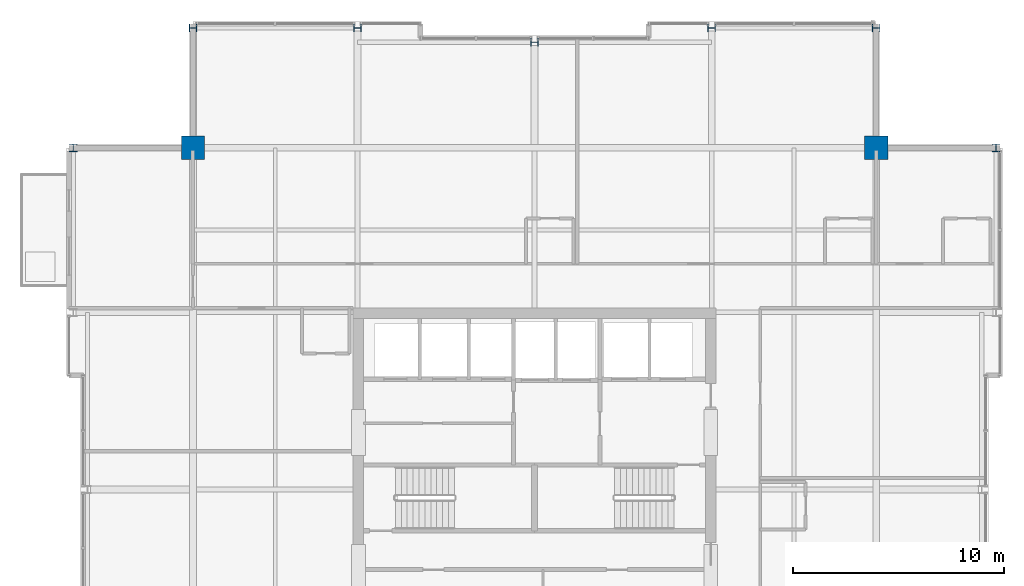
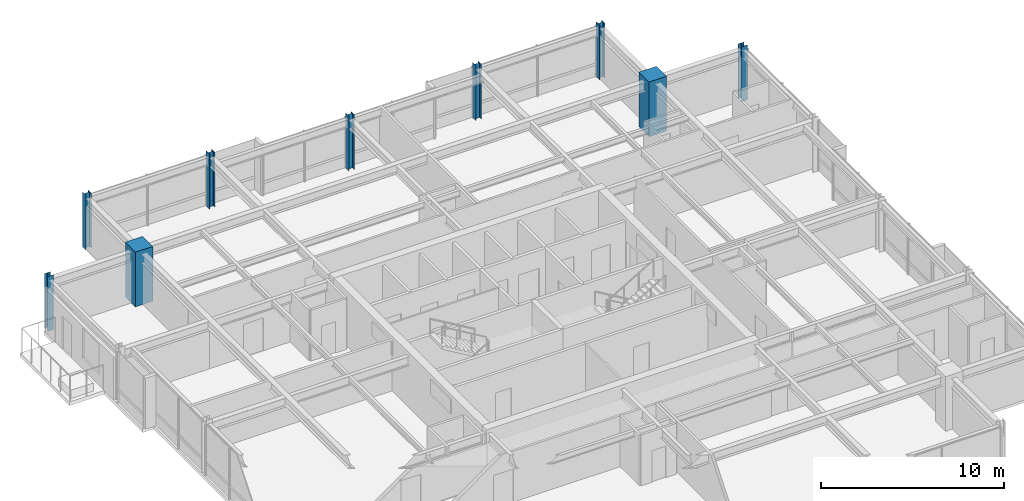
# One storey, part 3 of 33: 9 columns.
"""IFC4 building model written with IfcOpenShell, lengths in metres."""

import ifcopenshell
import ifcopenshell.guid

model = None  # the IFC model being written
_history = None  # IfcOwnerHistory: only IFC2X3 demands one
_inside = {}  # id of a spatial element -> (the spatial element, [elements in it])
_under = {}  # id of a project, library or spatial element -> (it, [spatial elements below it])
_declared = {}  # id of a project -> (the project, [libraries it declares])
_typed = {}  # id of a type object -> (the type object, [elements of that type])
_made_of = {}  # id of a material, layer set ... -> (it, [elements and type objects made of it])


def new_model(schema):
    """Start an empty IFC model of exactly this schema.

    Asked for "IFC4X3", IfcOpenShell would pick the latest addendum, in which some entities
    have other attributes; the version numbers below select the first issue.
    IFC2X3 requires an IfcOwnerHistory on every rooted entity: one is made here for all.
    """
    global model, _history
    if schema == "IFC4X3":
        model = ifcopenshell.file(schema_version=(4, 3, 0, 0))
    else:
        model = ifcopenshell.file(schema=schema)
    _inside.clear()
    _under.clear()
    _declared.clear()
    _typed.clear()
    _made_of.clear()
    _history = None
    if model.schema == "IFC2X3":
        org = make("IfcOrganization", Name="unknown")
        user = make(
            "IfcPersonAndOrganization",
            ThePerson=make("IfcPerson", FamilyName="unknown"),
            TheOrganization=org,
        )
        app = make(
            "IfcApplication",
            ApplicationDeveloper=org,
            Version="unknown",
            ApplicationFullName="unknown",
            ApplicationIdentifier="unknown",
        )
        _history = make(
            "IfcOwnerHistory",
            OwningUser=user,
            OwningApplication=app,
            ChangeAction="ADDED",
            CreationDate=0,
        )
    return model


def make(cls, **values):
    """One entity of the class cls with the attributes given. An attribute that is None is left unset."""
    return model.create_entity(
        cls, **{name: value for name, value in values.items() if value is not None}
    )


def rooted(cls, **values):
    """An entity with a GlobalId (a new one), such as an element, a storey or a relation."""
    return make(cls, GlobalId=ifcopenshell.guid.new(), OwnerHistory=_history, **values)


def si_unit(unit_type, name, prefix=None):
    """IfcSIUnit, for example si_unit("LENGTHUNIT", "METRE", prefix="MILLI")."""
    return make("IfcSIUnit", UnitType=unit_type, Prefix=prefix, Name=name)


def assignment(units):
    """IfcUnitAssignment: the units of a project."""
    return None if units is None else make("IfcUnitAssignment", Units=units)


def point(xyz):
    """IfcCartesianPoint."""
    return None if xyz is None else make("IfcCartesianPoint", Coordinates=xyz)


def direction(xyz):
    """IfcDirection."""
    return None if xyz is None else make("IfcDirection", DirectionRatios=xyz)


def frame(location, z_axis=None, x_axis=None):
    """IfcAxis2Placement3D, a coordinate frame: its origin and axes. An axis left out is left unset."""
    return make(
        "IfcAxis2Placement3D",
        Location=point(location),
        Axis=direction(z_axis),
        RefDirection=direction(x_axis),
    )


def frame_2d(location, x_axis=None):
    """IfcAxis2Placement2D, a coordinate frame in the plane: its origin and x axis."""
    return make(
        "IfcAxis2Placement2D", Location=point(location), RefDirection=direction(x_axis)
    )


def origin():
    """The frame at (0, 0, 0) with its axes left unset."""
    return frame((0.0, 0.0, 0.0))


def origin_2d():
    """The frame at (0, 0) in the plane with its x axis left unset."""
    return frame_2d((0.0, 0.0))


def place(relative_to, where):
    """IfcLocalPlacement: puts the frame where relative to a parent placement (None: the world)."""
    return make(
        "IfcLocalPlacement", PlacementRelTo=relative_to, RelativePlacement=where
    )


def context(
    kind, dimensions, precision=None, world=None, true_north=None, identifier=None
):
    """IfcGeometricRepresentationContext, for example the 3D "Model" context."""
    return make(
        "IfcGeometricRepresentationContext",
        ContextIdentifier=identifier,
        ContextType=kind,
        CoordinateSpaceDimension=dimensions,
        Precision=precision,
        WorldCoordinateSystem=world,
        TrueNorth=true_north,
    )


def subcontext(parent, identifier, kind, view, scale=None):
    """IfcGeometricRepresentationSubContext, for example "Body" below "Model"."""
    return make(
        "IfcGeometricRepresentationSubContext",
        ContextIdentifier=identifier,
        ContextType=kind,
        ParentContext=parent,
        TargetScale=scale,
        TargetView=view,
    )


def project(units=None, contexts=None):
    """IfcProject with its units and contexts."""
    return rooted(
        "IfcProject",
        Name="project",
        RepresentationContexts=contexts,
        UnitsInContext=assignment(units),
    )


def spatial(cls, under=None, at=None, **own):
    """A site, building, storey or space (cls), placed at a placement, below another one or the project."""
    s = rooted(cls, ObjectPlacement=at, **own)
    if under is not None:
        _under.setdefault(under.id(), (under, []))[1].append(s)
    return s


def profile(cls, at=None, kind="AREA", **sizes):
    """A parametric profile (cls). Its sizes go by their IFC names, for example OverallWidth=200.0."""
    return make(cls, ProfileType=kind, Position=at, **sizes)


def rectangle(**sizes):
    """IfcRectangleProfileDef."""
    return profile("IfcRectangleProfileDef", **sizes)


def i_section(**sizes):
    """IfcIShapeProfileDef."""
    return profile("IfcIShapeProfileDef", **sizes)


def extrude(swept, where, along, depth):
    """IfcExtrudedAreaSolid: the profile swept, set in the frame where, extruded along a direction by depth."""
    return make(
        "IfcExtrudedAreaSolid",
        SweptArea=swept,
        Position=where,
        ExtrudedDirection=direction(along),
        Depth=depth,
    )


def shape(context_of_items, identifier, shape_type, items):
    """IfcShapeRepresentation: the items that make up one representation, for example the "Body"."""
    return make(
        "IfcShapeRepresentation",
        ContextOfItems=context_of_items,
        RepresentationIdentifier=identifier,
        RepresentationType=shape_type,
        Items=items,
    )


def material(Name=None, Category=None):
    """IfcMaterial."""
    return make("IfcMaterial", Name=Name, Category=Category)


def material_profile(
    of_material, cross_section, Name=None, Category=None, Priority=None
):
    """IfcMaterialProfile: a cross section and its material."""
    return make(
        "IfcMaterialProfile",
        Name=Name,
        Material=of_material,
        Profile=cross_section,
        Priority=Priority,
        Category=Category,
    )


def profile_set(profiles, Name=None, composite=None):
    """IfcMaterialProfileSet."""
    return make(
        "IfcMaterialProfileSet",
        Name=Name,
        MaterialProfiles=profiles,
        CompositeProfile=composite,
    )


def made_of(thing, what):
    """Note that an element or type object is made of a material, layer set ...; save() writes the relation."""
    if what is not None:
        _made_of.setdefault(what.id(), (what, []))[1].append(thing)
    return thing


def type_object(cls, material=None, **own):
    """A type object (cls), such as IfcWallType, which elements share."""
    return made_of(rooted(cls, **own), material)


def element(
    cls,
    number,
    at=None,
    inside=None,
    cuts=None,
    type_object=None,
    material=None,
    context=None,
    identifier="Body",
    shape_type=None,
    held_by="IfcProductDefinitionShape",
    body=None,
    shapes=None,
    **own,
):
    """One element of the class cls, such as IfcWall. Its Tag is "e" and its number.

    at: its placement. inside: the storey or other place that contains it. cuts: it is an
    opening in that element (IfcRelVoidsElement). A single representation is given by context,
    identifier, shape_type and body (its items); several are given by shapes. held_by: the class
    of the entity that holds the representations. save() writes the other relations.
    """
    e = rooted(cls, Tag="e%d" % number, ObjectPlacement=at, **own)
    if body is not None:
        shapes = [shape(context, identifier, shape_type, body)]
    if shapes is not None:
        e.Representation = make(held_by, Representations=shapes)
    if inside is not None:
        _inside.setdefault(inside.id(), (inside, []))[1].append(e)
    if cuts is not None:
        rooted(
            "IfcRelVoidsElement", RelatingBuildingElement=cuts, RelatedOpeningElement=e
        )
    if type_object is not None:
        _typed.setdefault(type_object.id(), (type_object, []))[1].append(e)
    return made_of(e, material)


def aggregate(whole, parts):
    """IfcRelAggregates: a whole, such as a stair, and the parts it consists of."""
    return rooted("IfcRelAggregates", RelatingObject=whole, RelatedObjects=parts)


def save(model, path):
    """Write the relations noted so far, then the file.

    IfcRelAggregates (storeys below a building ...), IfcRelContainedInSpatialStructure (elements
    in a storey), IfcRelDefinesByType, IfcRelAssociatesMaterial and IfcRelDeclares: one each for
    every whole, place, type object, material and project.
    """
    for whole, parts in _under.values():
        aggregate(whole, parts)
    for where, things in _inside.values():
        rooted(
            "IfcRelContainedInSpatialStructure",
            RelatedElements=things,
            RelatingStructure=where,
        )
    for kind, things in _typed.values():
        rooted("IfcRelDefinesByType", RelatedObjects=things, RelatingType=kind)
    for what, things in _made_of.values():
        rooted("IfcRelAssociatesMaterial", RelatedObjects=things, RelatingMaterial=what)
    for by, libraries in _declared.values():
        rooted("IfcRelDeclares", RelatingContext=by, RelatedDefinitions=libraries)
    model.write(path)


model = new_model("IFC4")

# Units and contexts
model_context = context("Model", 3, precision=1e-05, world=origin(), true_north=direction((0.0, 1.0)))
body_context = subcontext(model_context, "Body", "Model", "MODEL_VIEW")
ifc_project = project(units=[si_unit("LENGTHUNIT", "METRE"), si_unit("AREAUNIT", "SQUARE_METRE"), si_unit("VOLUMEUNIT", "CUBIC_METRE"), si_unit("PLANEANGLEUNIT", "RADIAN"), si_unit("MASSUNIT", "GRAM", prefix="KILO")], contexts=[model_context])

# Site, building, storey
site_placement = place(None, origin())
site = spatial("IfcSite", under=ifc_project, at=site_placement, CompositionType="ELEMENT")
building_placement = place(site_placement, origin())
building = spatial("IfcBuilding", under=site, at=building_placement, Name="Drelvath Grand Hotel", CompositionType="ELEMENT")
storey_placement = place(building_placement, frame((0.0, 0.0, 283.25)))
storey = spatial("IfcBuildingStorey", under=building, at=storey_placement, Name="L74", CompositionType="ELEMENT", Elevation=283.25)

# Columns
ifc_material_1 = material(Name="Concrete f'c 55 MPa", Category="concrete")
ifc_material_profile_1 = material_profile(ifc_material_1, rectangle(XDim=1.10009765625, YDim=1.10009765625, at=origin_2d()), Name="MC1100X1100")
ifc_profile_set_1 = profile_set([ifc_material_profile_1], Name="Concrete f'c 55 MPa")
column_type_1 = type_object("IfcColumnType", Name="Composite Mega Column MC1100X1100", PredefinedType="COLUMN", material=ifc_profile_set_1)
for number, where, z_axis, x_axis, name in (
    (1, (-16.199951171875, 43.199951171875, 0.0), (0.0, 0.0, 1.0), (1.0, 0.0, 0.0), "L74 Composite Mega Column MC-NW"),
    (2, (16.199951171875, 43.199951171875, 0.0), (0.0, 0.0, 1.0), (1.0, 0.0, 0.0), "L74 Composite Mega Column MC-NE"),
):
    element("IfcColumn", number, at=place(storey_placement, frame(where, z_axis=z_axis, x_axis=x_axis)), inside=storey, type_object=column_type_1, Name=name, PredefinedType="COLUMN", context=body_context, shape_type="SweptSolid", body=[
        extrude(rectangle(XDim=1.10009765625, YDim=1.10009765625, at=origin_2d()), origin(), (0.0, 0.0, 1.0), 3.64990234375),
    ])
ifc_material_2 = material(Name="Steel ASTM A913 Gr 65", Category="steel")
ifc_material_profile_2 = material_profile(ifc_material_2, i_section(OverallWidth=0.368896484375, OverallDepth=0.356201171875, WebThickness=0.01123046875, FlangeThickness=0.01806640625, FilletRadius=0.02490234375, at=origin_2d()), Name="W14X90")
ifc_profile_set_2 = profile_set([ifc_material_profile_2], Name="Steel ASTM A913 Gr 65")
column_type_2 = type_object("IfcColumnType", Name="Perimeter Steel Column W14X90", PredefinedType="COLUMN", material=ifc_profile_set_2)
for number, where, z_axis, x_axis, name in (
    (3, (-21.8798828125, 43.199951171875, 0.0), (0.0, 0.0, 1.0), (1.0, 0.0, 0.0), "L74 Structural Column TCW-G"),
    (4, (21.8798828125, 43.199951171875, 0.0), (0.0, 0.0, 1.0), (1.0, 0.0, 0.0), "L74 Structural Column TCE-G"),
    (5, (-16.199951171875, 48.8798828125, 0.0), (0.0, 0.0, 1.0), (0.0, 1.0, 0.0), "L74 Structural Column TCN-3"),
    (6, (-8.39990234375, 48.8798828125, 0.0), (0.0, 0.0, 1.0), (0.0, 1.0, 0.0), "L74 Structural Column TCN-4"),
    (7, (0.0, 48.199951171875, 0.0), (0.0, 0.0, 1.0), (0.0, 1.0, 0.0), "L74 Structural Column TCN-5"),
    (8, (8.39990234375, 48.8798828125, 0.0), (0.0, 0.0, 1.0), (0.0, 1.0, 0.0), "L74 Structural Column TCN-6"),
    (9, (16.199951171875, 48.8798828125, 0.0), (0.0, 0.0, 1.0), (0.0, 1.0, 0.0), "L74 Structural Column TCN-7"),
):
    element("IfcColumn", number, at=place(storey_placement, frame(where, z_axis=z_axis, x_axis=x_axis)), inside=storey, type_object=column_type_2, Name=name, PredefinedType="COLUMN", context=body_context, shape_type="SweptSolid", body=[
        extrude(i_section(OverallWidth=0.368896484375, OverallDepth=0.356201171875, WebThickness=0.01123046875, FlangeThickness=0.01806640625, FilletRadius=0.02490234375, at=origin_2d()), origin(), (0.0, 0.0, 1.0), 3.64697265625),
    ])

save(model, "model.ifc")
